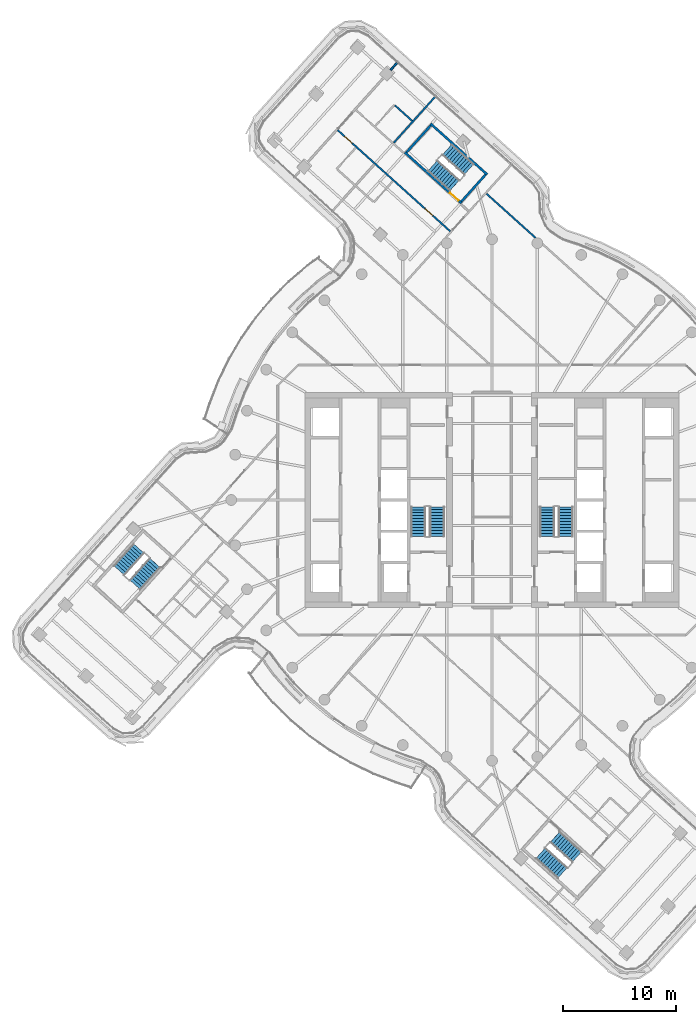
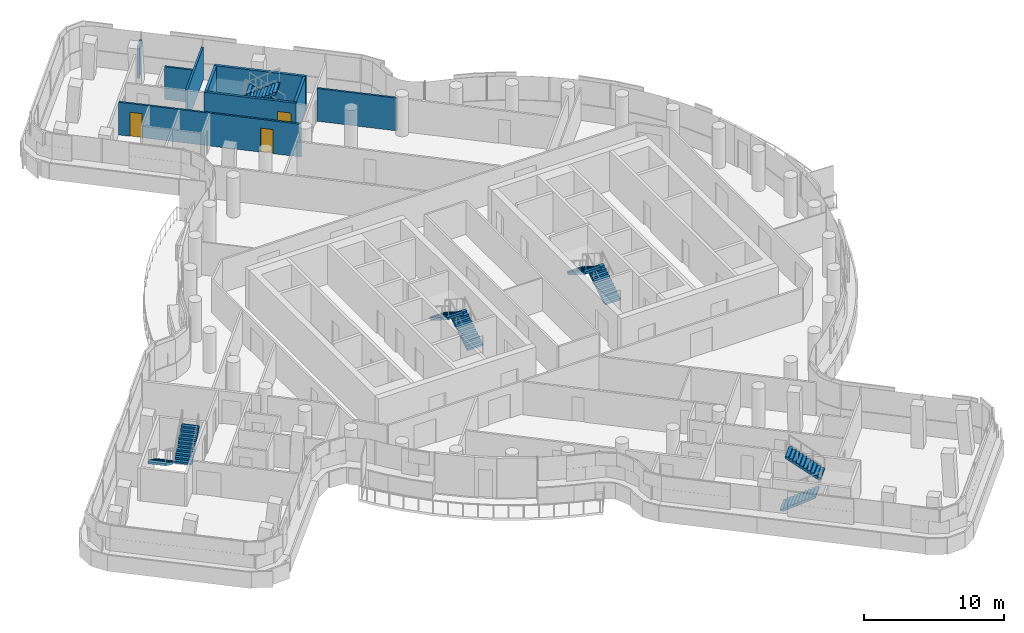
# One storey, part 23 of 31: 10 stair flights, 9 walls, 3 doors, 3 openings, 5 elements without a shape of their own.
"""IFC4 building model written with IfcOpenShell, lengths in metres."""

from ifc_helpers import new_model, si_unit, direction, frame, frame_2d, origin, place, context, subcontext, project, spatial, polyline, rectangle, outline, extrude, material, layer, layer_set, type_object, element, fill, aggregate, save


model = new_model("IFC4")

# Units and contexts
model_context = context("Model", 3, precision=1e-05, world=origin(), true_north=direction((0.0, 1.0)))
body_context = subcontext(model_context, "Body", "Model", "MODEL_VIEW")
ifc_project = project(units=[si_unit("LENGTHUNIT", "METRE"), si_unit("AREAUNIT", "SQUARE_METRE"), si_unit("VOLUMEUNIT", "CUBIC_METRE"), si_unit("PLANEANGLEUNIT", "RADIAN"), si_unit("MASSUNIT", "GRAM", prefix="KILO")], contexts=[model_context])

# Site, building, storey
site_placement = place(None, origin())
site = spatial("IfcSite", under=ifc_project, at=site_placement, CompositionType="ELEMENT")
building_placement = place(site_placement, origin())
building = spatial("IfcBuilding", under=site, at=building_placement, Name="Tamarind Cross Interchange Tower", CompositionType="ELEMENT")
storey_placement = place(building_placement, frame((0.0, 0.0, 207.699951171875)))
storey = spatial("IfcBuildingStorey", under=building, at=storey_placement, Name="L52", CompositionType="ELEMENT", Elevation=207.699951171875)

# Wall, openings, doors
ifc_material_1 = material(Name="Gypsum board partition on steel studs", Category="steel")
ifc_layer_1 = layer(ifc_material_1, 0.14990234375)
ifc_layer_set_1 = layer_set([ifc_layer_1], Name="Gypsum board partition on steel studs")
wall_type_1 = type_object("IfcWallType", Name="Partition 150 mm EI 120", PredefinedType="PARTITIONING", material=ifc_layer_set_1)
wall_1_placement = place(storey_placement, frame((-13.611572265625, 32.616455078125, 0.0), z_axis=(0.0, 0.0, 1.0), x_axis=(0.743714415992, -0.668497470037, 0.0)))
wall_1 = element("IfcWall", 1, at=wall_1_placement, inside=storey, type_object=wall_type_1, Name="Partition L52-014", PredefinedType="PARTITIONING", context=body_context, shape_type="SweptSolid", body=[
    extrude(rectangle(XDim=13.34033203125, YDim=0.14990234375, at=frame_2d((6.670166015625, 0.0))), origin(), (0.0, 0.0, 1.0), 2.864013671875),
])
opening_1_placement = place(wall_1_placement, frame((10.3701171875, 0.0, 0.0)))
opening_1 = element("IfcOpeningElement", 2, at=opening_1_placement, cuts=wall_1, Name="Opening D06", PredefinedType="OPENING", context=body_context, shape_type="SweptSolid", body=[
    extrude(rectangle(XDim=0.89990234375, YDim=2.10009765625, at=frame_2d((0.449951171875, 1.050048828125))), frame((0.0, 0.0849609375, 0.0), z_axis=(0.0, -1.0, 0.0), x_axis=(1.0, 0.0, 0.0)), (0.0, 0.0, 1.0), 0.169921875),
])
opening_2_placement = place(wall_1_placement, frame((0.820068359375, 0.0, 0.0)))
opening_2 = element("IfcOpeningElement", 3, at=opening_2_placement, cuts=wall_1, Name="Opening D07", PredefinedType="OPENING", context=body_context, shape_type="SweptSolid", body=[
    extrude(rectangle(XDim=0.89990234375, YDim=2.10009765625, at=frame_2d((0.449951171875, 1.050048828125))), frame((0.0, 0.0849609375, 0.0), z_axis=(0.0, -1.0, 0.0), x_axis=(1.0, 0.0, 0.0)), (0.0, 0.0, 1.0), 0.169921875),
])
ifc_material_2 = material(Name="Fire-resisting door set")
door_type_1 = type_object("IfcDoorType", Name="Interior door 900 x 2100 FD60S", OperationType="SINGLE_SWING_LEFT", PredefinedType="DOOR", material=ifc_material_2)
door_1_placement = place(opening_1_placement, frame((0.89990234375, 0.0, 0.0), z_axis=(0.0, 0.0, 1.0), x_axis=(-1.0, 0.0, 0.0)))
door_1 = element("IfcDoor", 4, at=door_1_placement, inside=storey, type_object=door_type_1, Name="Door D06", OperationType="SINGLE_SWING_RIGHT", OverallHeight=2.10009765625, OverallWidth=0.89990234375, PredefinedType="DOOR", context=body_context, shape_type="SweptSolid", body=[
    extrude(rectangle(XDim=0.89990234375, YDim=2.10009765625, at=frame_2d((0.449951171875, 1.050048828125))), frame((0.0, 0.02490234375, 0.0), z_axis=(0.0, -1.0, 0.0), x_axis=(1.0, 0.0, 0.0)), (0.0, 0.0, 1.0), 0.050048828125),
])
fill(opening_1, door_1)
door_2_placement = place(opening_2_placement, frame((0.89990234375, 0.0, 0.0), z_axis=(0.0, 0.0, 1.0), x_axis=(-1.0, 0.0, 0.0)))
door_2 = element("IfcDoor", 5, at=door_2_placement, inside=storey, type_object=door_type_1, Name="Door D07", OperationType="SINGLE_SWING_LEFT", OverallHeight=2.10009765625, OverallWidth=0.89990234375, PredefinedType="DOOR", context=body_context, shape_type="SweptSolid", body=[
    extrude(rectangle(XDim=0.89990234375, YDim=2.10009765625, at=frame_2d((0.449951171875, 1.050048828125))), frame((0.0, 0.02490234375, 0.0), z_axis=(0.0, -1.0, 0.0), x_axis=(1.0, 0.0, 0.0)), (0.0, 0.0, 1.0), 0.050048828125),
])
fill(opening_2, door_2)

# Walls
wall_2_placement = place(storey_placement, frame((-8.55859375, 34.798583984375, 0.0), z_axis=(0.0, 0.0, 1.0), x_axis=(0.743627277843, -0.668594399953, 0.0)))
element("IfcWall", 6, at=wall_2_placement, inside=storey, type_object=wall_type_1, Name="Partition L52-020", PredefinedType="PARTITIONING", context=body_context, shape_type="SweptSolid", body=[
    extrude(rectangle(XDim=2.0400390625, YDim=0.14990234375, at=frame_2d((1.02001953125, 0.0))), origin(), (0.0, 0.0, 1.0), 2.864013671875),
])
wall_3_placement = place(storey_placement, frame((-0.494384765625, 27.015380859375, 0.0), z_axis=(0.0, 0.0, 1.0), x_axis=(0.743820326934, -0.668379623597, 0.0)))
element("IfcWall", 7, at=wall_3_placement, inside=storey, type_object=wall_type_1, Name="Partition L52-023", PredefinedType="PARTITIONING", context=body_context, shape_type="SweptSolid", body=[
    extrude(rectangle(XDim=5.857421875, YDim=0.14990234375, at=frame_2d((2.9287109375, 0.0))), origin(), (0.0, 0.0, 1.0), 2.864013671875),
])
wall_4_placement = place(storey_placement, frame((-8.9453125, 37.93017578125, 0.0), z_axis=(0.0, 0.0, 1.0), x_axis=(0.668345278024, 0.743851187633, 0.0)))
element("IfcWall", 8, at=wall_4_placement, inside=storey, type_object=wall_type_1, Name="Partition L52-046", PredefinedType="PARTITIONING", context=body_context, shape_type="SweptSolid", body=[
    extrude(rectangle(XDim=0.82763671875, YDim=0.14990234375, at=frame_2d((0.413818359375, 0.0))), origin(), (0.0, 0.0, 1.0), 2.864013671875),
])
wall_5_placement = place(storey_placement, frame((-8.666015625, 31.5068359375, 0.0), z_axis=(0.0, 0.0, 1.0), x_axis=(0.668297397904, 0.743894204813, 0.0)))
element("IfcWall", 9, at=wall_5_placement, inside=storey, type_object=wall_type_1, Name="Partition L52-049", PredefinedType="PARTITIONING", context=body_context, shape_type="SweptSolid", body=[
    extrude(rectangle(XDim=5.419189453125, YDim=0.14990234375, at=frame_2d((2.70947265625, 0.0))), origin(), (0.0, 0.0, 1.0), 2.864013671875),
])

# Wall, opening, door
ifc_material_3 = material(Name="Concrete C40", Category="concrete")
ifc_layer_2 = layer(ifc_material_3, 0.199951171875)
ifc_layer_set_2 = layer_set([ifc_layer_2], Name="Concrete C40")
wall_type_2 = type_object("IfcWallType", Name="Stair shaft wall 200 mm Concrete C40", PredefinedType="SHEAR", material=ifc_layer_set_2)
wall_6_placement = place(storey_placement, frame((-2.70166015625, 26.175048828125, -0.139892578125), z_axis=(0.0, 0.0, 1.0), x_axis=(-0.743866429865, 0.66832831342, 0.0)))
wall_6 = element("IfcWall", 10, at=wall_6_placement, inside=storey, type_object=wall_type_2, Name="Core wall CWL-L52-ST4-H", PredefinedType="SHEAR", context=body_context, shape_type="SweptSolid", body=[
    extrude(rectangle(XDim=6.699951171875, YDim=0.199951171875, at=frame_2d((3.35009765625, 0.0))), origin(), (0.0, 0.0, 1.0), 3.00390625),
])
opening_3_placement = place(wall_6_placement, frame((0.35009765625, 0.0, 0.0)))
opening_3 = element("IfcOpeningElement", 11, at=opening_3_placement, cuts=wall_6, Name="Opening ST4L52", PredefinedType="OPENING", context=body_context, shape_type="SweptSolid", body=[
    extrude(rectangle(XDim=1.0, YDim=2.10009765625, at=frame_2d((0.5, 1.050048828125))), frame((0.0, 0.10986328125, 0.0), z_axis=(0.0, -1.0, 0.0), x_axis=(1.0, 0.0, 0.0)), (0.0, 0.0, 1.0), 0.219970703125),
])
ifc_material_4 = material(Name="Steel, fire-resisting", Category="steel")
door_type_2 = type_object("IfcDoorType", Name="Core fire door 1000 x 2100 FD90", OperationType="SINGLE_SWING_LEFT", PredefinedType="DOOR", material=ifc_material_4)
door_3_placement = place(opening_3_placement, origin())
door_3 = element("IfcDoor", 12, at=door_3_placement, inside=storey, type_object=door_type_2, Name="L52 stair door ST4", OperationType="SINGLE_SWING_LEFT", OverallHeight=2.10009765625, OverallWidth=1.0, PredefinedType="DOOR", context=body_context, shape_type="SweptSolid", body=[
    extrude(rectangle(XDim=1.0, YDim=2.10009765625, at=frame_2d((0.5, 1.050048828125))), frame((0.0, 0.02490234375, 0.0), z_axis=(0.0, -1.0, 0.0), x_axis=(1.0, 0.0, 0.0)), (0.0, 0.0, 1.0), 0.050048828125),
])
fill(opening_3, door_3)

# Walls
wall_7_placement = place(storey_placement, frame((-0.42919921875, 28.7041015625, -0.139892578125), z_axis=(0.0, 0.0, 1.0), x_axis=(-0.743866429865, 0.66832831342, 0.0)))
element("IfcWall", 13, at=wall_7_placement, inside=storey, type_object=wall_type_2, Name="Core wall CWL-L52-ST4-C", PredefinedType="SHEAR", context=body_context, shape_type="SweptSolid", body=[
    extrude(rectangle(XDim=6.699951171875, YDim=0.199951171875, at=frame_2d((3.35009765625, 0.0))), origin(), (0.0, 0.0, 1.0), 3.00390625),
])
wall_8_placement = place(storey_placement, frame((-0.570556640625, 28.696533203125, -0.139892578125), z_axis=(0.0, 0.0, 1.0), x_axis=(-0.668370152404, -0.743828837419, 0.0)))
element("IfcWall", 14, at=wall_8_placement, inside=storey, type_object=wall_type_2, Name="Core wall CWL-L52-ST4-CE", PredefinedType="SHEAR", context=body_context, shape_type="SweptSolid", body=[
    extrude(rectangle(XDim=3.199951171875, YDim=0.199951171875, at=frame_2d((1.60009765625, 0.0))), origin(), (0.0, 0.0, 1.0), 3.00390625),
])
wall_9_placement = place(storey_placement, frame((0.0, 0.0, -0.139892578125)))
element("IfcWall", 15, at=wall_9_placement, inside=storey, type_object=wall_type_2, Name="Core wall CWL-L52-ST4-CF", PredefinedType="SHEAR", context=body_context, shape_type="SweptSolid", body=[
    extrude(outline(polyline([(-5.331298828125, 32.97412109375), (-5.47998046875, 33.107666015625), (-7.61865234375, 30.727294921875), (-7.469970703125, 30.59375), (-5.331298828125, 32.97412109375)])), origin(), (0.0, 0.0, 1.0), 3.00390625),
])

# Stair, stair flights
ifc_material_5 = material(Name="Exit stair")
stair_type = type_object("IfcStairType", Name="Exit stair", PredefinedType="HALF_TURN_STAIR", material=ifc_material_5)
stair_1_placement = place(storey_placement, origin())
stair_1 = element("IfcStair", 16, at=stair_1_placement, inside=storey, type_object=stair_type, Name="L52 exit stair ST1", PredefinedType="HALF_TURN_STAIR")
ifc_material_6 = material(Name="Exit stair flight")
stair_flight_type = type_object("IfcStairFlightType", Name="Exit stair flight", PredefinedType="STRAIGHT", material=ifc_material_6)
stair_flight_1_placement = place(storey_placement, frame((-4.85009765625, -3.199951171875, 0.0), z_axis=(0.0, 0.0, 1.0), x_axis=(0.0, 1.0, 0.0)))
stair_flight_1 = element("IfcStairFlight", 17, at=stair_flight_1_placement, type_object=stair_flight_type, Name="ST1 flight 1", NumberOfRisers=11, NumberOfTreads=10, PredefinedType="STRAIGHT", RiserHeight=0.163636364, TreadLength=0.26, context=body_context, shape_type="SweptSolid", body=[
    extrude(outline(polyline([(0.0, 0.0), (0.0, 0.16357421875), (0.260009765625, 0.16357421875), (0.260009765625, 0.327392578125), (0.52001953125, 0.327392578125), (0.52001953125, 0.490966796875), (0.780029296875, 0.490966796875), (0.780029296875, 0.654541015625), (1.0400390625, 0.654541015625), (1.0400390625, 0.818115234375), (1.300048828125, 0.818115234375), (1.300048828125, 0.98193359375), (1.56005859375, 0.98193359375), (1.56005859375, 1.1455078125), (1.820068359375, 1.1455078125), (1.820068359375, 1.30908203125), (2.080078125, 1.30908203125), (2.080078125, 1.47265625), (2.340087890625, 1.47265625), (2.340087890625, 1.636474609375), (2.60009765625, 1.636474609375), (2.60009765625, 1.800048828125), (2.60009765625, 1.459228515625), (0.281494140625, 0.0), (0.0, 0.0)])), frame((0.0, 0.64990234375, 0.0), z_axis=(0.0, -1.0, 0.0), x_axis=(1.0, 0.0, 0.0)), (0.0, 0.0, 1.0), 1.300048828125),
])
stair_flight_2_placement = place(storey_placement, frame((-6.5, -0.60009765625, 1.800048828125), z_axis=(0.0, 0.0, 1.0), x_axis=(0.0, -1.0, 0.0)))
stair_flight_2 = element("IfcStairFlight", 18, at=stair_flight_2_placement, type_object=stair_flight_type, Name="ST1 flight 2", NumberOfRisers=11, NumberOfTreads=10, PredefinedType="STRAIGHT", RiserHeight=0.163636364, TreadLength=0.26, context=body_context, shape_type="SweptSolid", body=[
    extrude(outline(polyline([(0.0, 0.0), (0.0, 0.16357421875), (0.260009765625, 0.16357421875), (0.260009765625, 0.327392578125), (0.52001953125, 0.327392578125), (0.52001953125, 0.490966796875), (0.780029296875, 0.490966796875), (0.780029296875, 0.654541015625), (1.0400390625, 0.654541015625), (1.0400390625, 0.818115234375), (1.300048828125, 0.818115234375), (1.300048828125, 0.98193359375), (1.56005859375, 0.98193359375), (1.56005859375, 1.1455078125), (1.820068359375, 1.1455078125), (1.820068359375, 1.30908203125), (2.080078125, 1.30908203125), (2.080078125, 1.47265625), (2.340087890625, 1.47265625), (2.340087890625, 1.636474609375), (2.60009765625, 1.636474609375), (2.60009765625, 1.679931640625), (2.612060546875, 1.679931640625), (2.612060546875, 1.466796875), (0.281494140625, 0.0), (0.0, 0.0)])), frame((0.0, 0.64990234375, 0.0), z_axis=(0.0, -1.0, 0.0), x_axis=(1.0, 0.0, 0.0)), (0.0, 0.0, 1.0), 1.300048828125),
])
aggregate(stair_1, [stair_flight_1, stair_flight_2])

stair_2_placement = place(storey_placement, origin())
stair_2 = element("IfcStair", 19, at=stair_2_placement, inside=storey, type_object=stair_type, Name="L52 exit stair ST2", PredefinedType="HALF_TURN_STAIR")
stair_flight_3_placement = place(storey_placement, frame((6.5, -3.199951171875, 0.0), z_axis=(0.0, 0.0, 1.0), x_axis=(0.0, 1.0, 0.0)))
stair_flight_3 = element("IfcStairFlight", 20, at=stair_flight_3_placement, type_object=stair_flight_type, Name="ST2 flight 1", NumberOfRisers=11, NumberOfTreads=10, PredefinedType="STRAIGHT", RiserHeight=0.163636364, TreadLength=0.26, context=body_context, shape_type="SweptSolid", body=[
    extrude(outline(polyline([(0.0, 0.0), (0.0, 0.16357421875), (0.260009765625, 0.16357421875), (0.260009765625, 0.327392578125), (0.52001953125, 0.327392578125), (0.52001953125, 0.490966796875), (0.780029296875, 0.490966796875), (0.780029296875, 0.654541015625), (1.0400390625, 0.654541015625), (1.0400390625, 0.818115234375), (1.300048828125, 0.818115234375), (1.300048828125, 0.98193359375), (1.56005859375, 0.98193359375), (1.56005859375, 1.1455078125), (1.820068359375, 1.1455078125), (1.820068359375, 1.30908203125), (2.080078125, 1.30908203125), (2.080078125, 1.47265625), (2.340087890625, 1.47265625), (2.340087890625, 1.636474609375), (2.60009765625, 1.636474609375), (2.60009765625, 1.800048828125), (2.60009765625, 1.459228515625), (0.281494140625, 0.0), (0.0, 0.0)])), frame((0.0, 0.64990234375, 0.0), z_axis=(0.0, -1.0, 0.0), x_axis=(1.0, 0.0, 0.0)), (0.0, 0.0, 1.0), 1.300048828125),
])
stair_flight_4_placement = place(storey_placement, frame((4.85009765625, -0.60009765625, 1.800048828125), z_axis=(0.0, 0.0, 1.0), x_axis=(0.0, -1.0, 0.0)))
stair_flight_4 = element("IfcStairFlight", 21, at=stair_flight_4_placement, type_object=stair_flight_type, Name="ST2 flight 2", NumberOfRisers=11, NumberOfTreads=10, PredefinedType="STRAIGHT", RiserHeight=0.163636364, TreadLength=0.26, context=body_context, shape_type="SweptSolid", body=[
    extrude(outline(polyline([(0.0, 0.0), (0.0, 0.16357421875), (0.260009765625, 0.16357421875), (0.260009765625, 0.327392578125), (0.52001953125, 0.327392578125), (0.52001953125, 0.490966796875), (0.780029296875, 0.490966796875), (0.780029296875, 0.654541015625), (1.0400390625, 0.654541015625), (1.0400390625, 0.818115234375), (1.300048828125, 0.818115234375), (1.300048828125, 0.98193359375), (1.56005859375, 0.98193359375), (1.56005859375, 1.1455078125), (1.820068359375, 1.1455078125), (1.820068359375, 1.30908203125), (2.080078125, 1.30908203125), (2.080078125, 1.47265625), (2.340087890625, 1.47265625), (2.340087890625, 1.636474609375), (2.60009765625, 1.636474609375), (2.60009765625, 1.679931640625), (2.612060546875, 1.679931640625), (2.612060546875, 1.466796875), (0.281494140625, 0.0), (0.0, 0.0)])), frame((0.0, 0.64990234375, 0.0), z_axis=(0.0, -1.0, 0.0), x_axis=(1.0, 0.0, 0.0)), (0.0, 0.0, 1.0), 1.300048828125),
])
aggregate(stair_2, [stair_flight_3, stair_flight_4])

stair_3_placement = place(storey_placement, origin())
stair_3 = element("IfcStair", 22, at=stair_3_placement, inside=storey, type_object=stair_type, Name="L52 exit stair ST4", PredefinedType="HALF_TURN_STAIR")
stair_flight_5_placement = place(storey_placement, frame((-2.04638671875, 29.148681640625, 0.0), z_axis=(0.0, 0.0, 1.0), x_axis=(-0.743854461689, 0.668341634065, 0.0)))
stair_flight_5 = element("IfcStairFlight", 23, at=stair_flight_5_placement, type_object=stair_flight_type, Name="ST4 flight 1", NumberOfRisers=11, NumberOfTreads=10, PredefinedType="STRAIGHT", RiserHeight=0.163636364, TreadLength=0.26, context=body_context, shape_type="SweptSolid", body=[
    extrude(outline(polyline([(0.0, 0.0), (0.0, 0.16357421875), (0.260009765625, 0.16357421875), (0.260009765625, 0.327392578125), (0.52001953125, 0.327392578125), (0.52001953125, 0.490966796875), (0.780029296875, 0.490966796875), (0.780029296875, 0.654541015625), (1.0400390625, 0.654541015625), (1.0400390625, 0.818115234375), (1.300048828125, 0.818115234375), (1.300048828125, 0.98193359375), (1.56005859375, 0.98193359375), (1.56005859375, 1.1455078125), (1.820068359375, 1.1455078125), (1.820068359375, 1.30908203125), (2.080078125, 1.30908203125), (2.080078125, 1.47265625), (2.340087890625, 1.47265625), (2.340087890625, 1.636474609375), (2.60009765625, 1.636474609375), (2.60009765625, 1.800048828125), (2.60009765625, 1.459228515625), (0.281494140625, 0.0), (0.0, 0.0)])), frame((0.0, 0.64990234375, 0.0), z_axis=(0.0, -1.0, 0.0), x_axis=(1.0, 0.0, 0.0)), (0.0, 0.0, 1.0), 1.300048828125),
])
stair_flight_6_placement = place(storey_placement, frame((-5.250244140625, 29.47314453125, 1.800048828125), z_axis=(0.0, 0.0, 1.0), x_axis=(0.743854461689, -0.668341634065, 0.0)))
stair_flight_6 = element("IfcStairFlight", 24, at=stair_flight_6_placement, type_object=stair_flight_type, Name="ST4 flight 2", NumberOfRisers=11, NumberOfTreads=10, PredefinedType="STRAIGHT", RiserHeight=0.163636364, TreadLength=0.26, context=body_context, shape_type="SweptSolid", body=[
    extrude(outline(polyline([(0.0, 0.0), (0.0, 0.16357421875), (0.260009765625, 0.16357421875), (0.260009765625, 0.327392578125), (0.52001953125, 0.327392578125), (0.52001953125, 0.490966796875), (0.780029296875, 0.490966796875), (0.780029296875, 0.654541015625), (1.0400390625, 0.654541015625), (1.0400390625, 0.818115234375), (1.300048828125, 0.818115234375), (1.300048828125, 0.98193359375), (1.56005859375, 0.98193359375), (1.56005859375, 1.1455078125), (1.820068359375, 1.1455078125), (1.820068359375, 1.30908203125), (2.080078125, 1.30908203125), (2.080078125, 1.47265625), (2.340087890625, 1.47265625), (2.340087890625, 1.636474609375), (2.60009765625, 1.636474609375), (2.60009765625, 1.679931640625), (2.612060546875, 1.679931640625), (2.612060546875, 1.466796875), (0.281494140625, 0.0), (0.0, 0.0)])), frame((0.0, 0.64990234375, 0.0), z_axis=(0.0, -1.0, 0.0), x_axis=(1.0, 0.0, 0.0)), (0.0, 0.0, 1.0), 1.300048828125),
])
aggregate(stair_3, [stair_flight_5, stair_flight_6])

stair_4_placement = place(storey_placement, origin())
stair_4 = element("IfcStair", 25, at=stair_4_placement, inside=storey, type_object=stair_type, Name="L52 exit stair ST5", PredefinedType="HALF_TURN_STAIR")
stair_flight_7_placement = place(storey_placement, frame((-31.15380859375, -4.27783203125, 0.0), z_axis=(0.0, 0.0, 1.0), x_axis=(-0.668341634065, -0.743854461689, 0.0)))
stair_flight_7 = element("IfcStairFlight", 26, at=stair_flight_7_placement, type_object=stair_flight_type, Name="ST5 flight 1", NumberOfRisers=11, NumberOfTreads=10, PredefinedType="STRAIGHT", RiserHeight=0.163636364, TreadLength=0.26, context=body_context, shape_type="SweptSolid", body=[
    extrude(outline(polyline([(0.0, 0.0), (0.0, 0.16357421875), (0.260009765625, 0.16357421875), (0.260009765625, 0.327392578125), (0.52001953125, 0.327392578125), (0.52001953125, 0.490966796875), (0.780029296875, 0.490966796875), (0.780029296875, 0.654541015625), (1.0400390625, 0.654541015625), (1.0400390625, 0.818115234375), (1.300048828125, 0.818115234375), (1.300048828125, 0.98193359375), (1.56005859375, 0.98193359375), (1.56005859375, 1.1455078125), (1.820068359375, 1.1455078125), (1.820068359375, 1.30908203125), (2.080078125, 1.30908203125), (2.080078125, 1.47265625), (2.340087890625, 1.47265625), (2.340087890625, 1.636474609375), (2.60009765625, 1.636474609375), (2.60009765625, 1.800048828125), (2.60009765625, 1.459228515625), (0.281494140625, 0.0), (0.0, 0.0)])), frame((0.0, 0.64990234375, 0.0), z_axis=(0.0, -1.0, 0.0), x_axis=(1.0, 0.0, 0.0)), (0.0, 0.0, 1.0), 1.300048828125),
])
stair_flight_8_placement = place(storey_placement, frame((-31.478271484375, -7.481689453125, 1.800048828125), z_axis=(0.0, 0.0, 1.0), x_axis=(0.668341634065, 0.743854461689, 0.0)))
stair_flight_8 = element("IfcStairFlight", 27, at=stair_flight_8_placement, type_object=stair_flight_type, Name="ST5 flight 2", NumberOfRisers=11, NumberOfTreads=10, PredefinedType="STRAIGHT", RiserHeight=0.163636364, TreadLength=0.26, context=body_context, shape_type="SweptSolid", body=[
    extrude(outline(polyline([(0.0, 0.0), (0.0, 0.16357421875), (0.260009765625, 0.16357421875), (0.260009765625, 0.327392578125), (0.52001953125, 0.327392578125), (0.52001953125, 0.490966796875), (0.780029296875, 0.490966796875), (0.780029296875, 0.654541015625), (1.0400390625, 0.654541015625), (1.0400390625, 0.818115234375), (1.300048828125, 0.818115234375), (1.300048828125, 0.98193359375), (1.56005859375, 0.98193359375), (1.56005859375, 1.1455078125), (1.820068359375, 1.1455078125), (1.820068359375, 1.30908203125), (2.080078125, 1.30908203125), (2.080078125, 1.47265625), (2.340087890625, 1.47265625), (2.340087890625, 1.636474609375), (2.60009765625, 1.636474609375), (2.60009765625, 1.679931640625), (2.612060546875, 1.679931640625), (2.612060546875, 1.466796875), (0.281494140625, 0.0), (0.0, 0.0)])), frame((0.0, 0.64990234375, 0.0), z_axis=(0.0, -1.0, 0.0), x_axis=(1.0, 0.0, 0.0)), (0.0, 0.0, 1.0), 1.300048828125),
])
aggregate(stair_4, [stair_flight_7, stair_flight_8])

stair_5_placement = place(storey_placement, origin())
stair_5 = element("IfcStair", 28, at=stair_5_placement, inside=storey, type_object=stair_type, Name="L52 exit stair ST6", PredefinedType="HALF_TURN_STAIR")
stair_flight_9_placement = place(storey_placement, frame((4.27783203125, -31.15380859375, 0.0), z_axis=(0.0, 0.0, 1.0), x_axis=(0.743854461689, -0.668341634065, 0.0)))
stair_flight_9 = element("IfcStairFlight", 29, at=stair_flight_9_placement, type_object=stair_flight_type, Name="ST6 flight 1", NumberOfRisers=11, NumberOfTreads=10, PredefinedType="STRAIGHT", RiserHeight=0.163636364, TreadLength=0.26, context=body_context, shape_type="SweptSolid", body=[
    extrude(outline(polyline([(0.0, 0.0), (0.0, 0.16357421875), (0.260009765625, 0.16357421875), (0.260009765625, 0.327392578125), (0.52001953125, 0.327392578125), (0.52001953125, 0.490966796875), (0.780029296875, 0.490966796875), (0.780029296875, 0.654541015625), (1.0400390625, 0.654541015625), (1.0400390625, 0.818115234375), (1.300048828125, 0.818115234375), (1.300048828125, 0.98193359375), (1.56005859375, 0.98193359375), (1.56005859375, 1.1455078125), (1.820068359375, 1.1455078125), (1.820068359375, 1.30908203125), (2.080078125, 1.30908203125), (2.080078125, 1.47265625), (2.340087890625, 1.47265625), (2.340087890625, 1.636474609375), (2.60009765625, 1.636474609375), (2.60009765625, 1.800048828125), (2.60009765625, 1.459228515625), (0.281494140625, 0.0), (0.0, 0.0)])), frame((0.0, 0.64990234375, 0.0), z_axis=(0.0, -1.0, 0.0), x_axis=(1.0, 0.0, 0.0)), (0.0, 0.0, 1.0), 1.300048828125),
])
stair_flight_10_placement = place(storey_placement, frame((7.481689453125, -31.478271484375, 1.800048828125), z_axis=(0.0, 0.0, 1.0), x_axis=(-0.743854461689, 0.668341634065, 0.0)))
stair_flight_10 = element("IfcStairFlight", 30, at=stair_flight_10_placement, type_object=stair_flight_type, Name="ST6 flight 2", NumberOfRisers=11, NumberOfTreads=10, PredefinedType="STRAIGHT", RiserHeight=0.163636364, TreadLength=0.26, context=body_context, shape_type="SweptSolid", body=[
    extrude(outline(polyline([(0.0, 0.0), (0.0, 0.16357421875), (0.260009765625, 0.16357421875), (0.260009765625, 0.327392578125), (0.52001953125, 0.327392578125), (0.52001953125, 0.490966796875), (0.780029296875, 0.490966796875), (0.780029296875, 0.654541015625), (1.0400390625, 0.654541015625), (1.0400390625, 0.818115234375), (1.300048828125, 0.818115234375), (1.300048828125, 0.98193359375), (1.56005859375, 0.98193359375), (1.56005859375, 1.1455078125), (1.820068359375, 1.1455078125), (1.820068359375, 1.30908203125), (2.080078125, 1.30908203125), (2.080078125, 1.47265625), (2.340087890625, 1.47265625), (2.340087890625, 1.636474609375), (2.60009765625, 1.636474609375), (2.60009765625, 1.679931640625), (2.612060546875, 1.679931640625), (2.612060546875, 1.466796875), (0.281494140625, 0.0), (0.0, 0.0)])), frame((0.0, 0.64990234375, 0.0), z_axis=(0.0, -1.0, 0.0), x_axis=(1.0, 0.0, 0.0)), (0.0, 0.0, 1.0), 1.300048828125),
])
aggregate(stair_5, [stair_flight_9, stair_flight_10])

save(model, "model.ifc")
